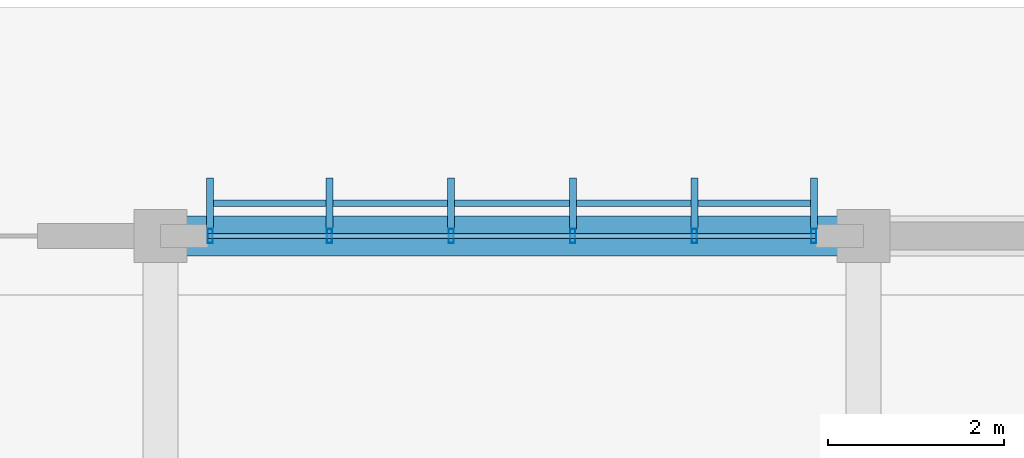
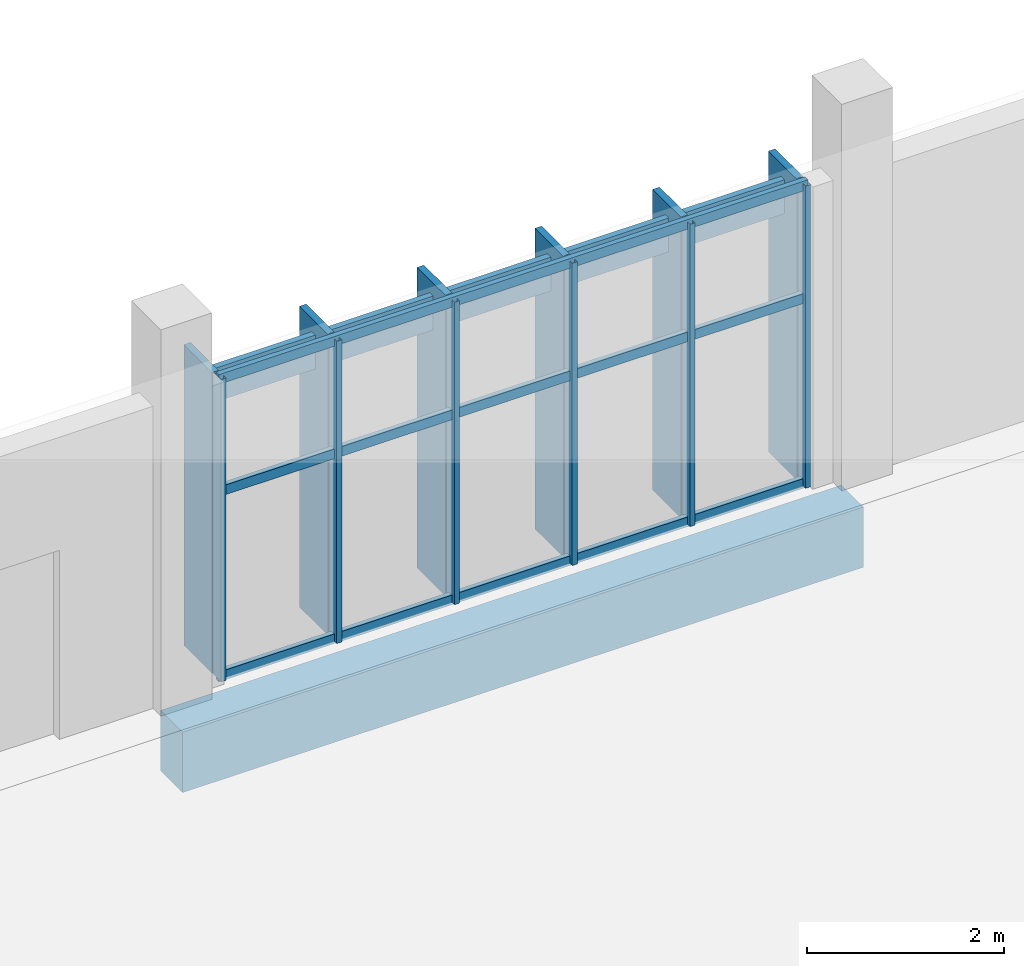
# One storey, part 92 of 151: 16 members, 1 beam, 1 element without a shape of its own.
"""IFC4 building model written with IfcOpenShell, lengths in metres."""

from ifc_helpers import new_model, si_unit, direction, frame, origin, origin_2d, place, context, subcontext, project, spatial, rectangle, hollow_rectangle, extrude, material, material_profile, profile_set, type_object, element, aggregate, save


model = new_model("IFC4")

# Units and contexts
model_context = context("Model", 3, precision=1e-05, world=origin(), true_north=direction((0.0, 1.0)))
body_context = subcontext(model_context, "Body", "Model", "MODEL_VIEW")
ifc_project = project(units=[si_unit("LENGTHUNIT", "METRE"), si_unit("AREAUNIT", "SQUARE_METRE"), si_unit("VOLUMEUNIT", "CUBIC_METRE"), si_unit("PLANEANGLEUNIT", "RADIAN"), si_unit("MASSUNIT", "GRAM", prefix="KILO")], contexts=[model_context])

# Site, building, storey
site_placement = place(None, origin())
site = spatial("IfcSite", under=ifc_project, at=site_placement, CompositionType="ELEMENT")
building_placement = place(site_placement, origin())
building = spatial("IfcBuilding", under=site, at=building_placement, Name="Chiffa Square Polytechnic", CompositionType="ELEMENT")
storey_placement = place(building_placement, origin())
storey = spatial("IfcBuildingStorey", under=building, at=storey_placement, Name="L00", CompositionType="ELEMENT", Elevation=0.0)

# Beam
ifc_material_1 = material(Name="Concrete C35/45", Category="concrete")
ifc_material_profile_1 = material_profile(ifc_material_1, rectangle(XDim=0.449951171875, YDim=0.75, at=origin_2d()), Name="RC 450x750")
ifc_profile_set_1 = profile_set([ifc_material_profile_1], Name="Concrete C35/45")
beam_type = type_object("IfcBeamType", Name="BM-RC-450X750", PredefinedType="BEAM", material=ifc_profile_set_1)
beam_placement = place(storey_placement, frame((8.0, 130.800048828125, -0.72509765625), z_axis=(1.0, 0.0, 0.0), x_axis=(0.0, 1.0, 0.0)))
element("IfcBeam", 1, at=beam_placement, inside=storey, type_object=beam_type, Name="Primary floor girder BM-V5-L00-X-0080-1308", PredefinedType="BEAM", context=body_context, shape_type="SweptSolid", body=[
    extrude(rectangle(XDim=0.449951171875, YDim=0.75, at=origin_2d()), origin(), (0.0, 0.0, 1.0), 8.0),
])

# Curtain wall, members
ifc_material_2 = material(Name="Aluminium EN AW-6060 T66 and glulam shading", Category="wood")
curtain_wall_type = type_object("IfcCurtainWallType", Name="CW-VERT-360X380", PredefinedType="USERDEFINED", material=ifc_material_2)
curtain_wall_placement = place(storey_placement, origin())
curtain_wall = element("IfcCurtainWall", 2, at=curtain_wall_placement, inside=storey, type_object=curtain_wall_type, Name="Curtain wall CW-V5-L00-197", ObjectType="CURTAIN WALL", PredefinedType="USERDEFINED")
ifc_material_3 = material(Name="Aluminium EN AW-6060 T66", Category="aluminium")
ifc_material_profile_2 = material_profile(ifc_material_3, hollow_rectangle(XDim=0.06005859375, YDim=0.159912109375, WallThickness=0.00390625, at=origin_2d()), Name="ALU 60x160x4")
ifc_profile_set_2 = profile_set([ifc_material_profile_2], Name="Aluminium EN AW-6060 T66")
member_type_1 = type_object("IfcMemberType", Name="CWM-ALU-65X150", PredefinedType="MULLION", material=ifc_profile_set_2)
member_1_placement = place(storey_placement, frame((15.43505859375, 130.800048828125, 0.0), z_axis=(0.0, 0.0, 1.0), x_axis=(1.0, 0.0, 0.0)))
member_1 = element("IfcMember", 3, at=member_1_placement, type_object=member_type_1, Name="Curtain wall mullion CW-V5-L00-197-M00", PredefinedType="MULLION", context=body_context, shape_type="SweptSolid", body=[
    extrude(hollow_rectangle(XDim=0.06005859375, YDim=0.159912109375, WallThickness=0.00390625, at=origin_2d()), origin(), (0.0, 0.0, 1.0), 3.7548828125),
])
member_2_placement = place(storey_placement, frame((14.075927734375, 130.800048828125, 0.0), z_axis=(0.0, 0.0, 1.0), x_axis=(1.0, 0.0, 0.0)))
member_2 = element("IfcMember", 4, at=member_2_placement, type_object=member_type_1, Name="Curtain wall mullion CW-V5-L00-197-M01", PredefinedType="MULLION", context=body_context, shape_type="SweptSolid", body=[
    extrude(hollow_rectangle(XDim=0.06005859375, YDim=0.159912109375, WallThickness=0.00390625, at=origin_2d()), origin(), (0.0, 0.0, 1.0), 3.7548828125),
])
member_3_placement = place(storey_placement, frame((12.69189453125, 130.800048828125, 0.0), z_axis=(0.0, 0.0, 1.0), x_axis=(1.0, 0.0, 0.0)))
member_3 = element("IfcMember", 5, at=member_3_placement, type_object=member_type_1, Name="Curtain wall mullion CW-V5-L00-197-M02", PredefinedType="MULLION", context=body_context, shape_type="SweptSolid", body=[
    extrude(hollow_rectangle(XDim=0.06005859375, YDim=0.159912109375, WallThickness=0.00390625, at=origin_2d()), origin(), (0.0, 0.0, 1.0), 3.7548828125),
])
member_4_placement = place(storey_placement, frame((11.30810546875, 130.800048828125, 0.0), z_axis=(0.0, 0.0, 1.0), x_axis=(1.0, 0.0, 0.0)))
member_4 = element("IfcMember", 6, at=member_4_placement, type_object=member_type_1, Name="Curtain wall mullion CW-V5-L00-197-M03", PredefinedType="MULLION", context=body_context, shape_type="SweptSolid", body=[
    extrude(hollow_rectangle(XDim=0.06005859375, YDim=0.159912109375, WallThickness=0.00390625, at=origin_2d()), origin(), (0.0, 0.0, 1.0), 3.7548828125),
])
member_5_placement = place(storey_placement, frame((9.924072265625, 130.800048828125, 0.0), z_axis=(0.0, 0.0, 1.0), x_axis=(1.0, 0.0, 0.0)))
member_5 = element("IfcMember", 7, at=member_5_placement, type_object=member_type_1, Name="Curtain wall mullion CW-V5-L00-197-M04", PredefinedType="MULLION", context=body_context, shape_type="SweptSolid", body=[
    extrude(hollow_rectangle(XDim=0.06005859375, YDim=0.159912109375, WallThickness=0.00390625, at=origin_2d()), origin(), (0.0, 0.0, 1.0), 3.7548828125),
])
member_6_placement = place(storey_placement, frame((8.56494140625, 130.800048828125, 0.0), z_axis=(0.0, 0.0, 1.0), x_axis=(1.0, 0.0, 0.0)))
member_6 = element("IfcMember", 8, at=member_6_placement, type_object=member_type_1, Name="Curtain wall mullion CW-V5-L00-197-M05", PredefinedType="MULLION", context=body_context, shape_type="SweptSolid", body=[
    extrude(hollow_rectangle(XDim=0.06005859375, YDim=0.159912109375, WallThickness=0.00390625, at=origin_2d()), origin(), (0.0, 0.0, 1.0), 3.7548828125),
])
ifc_material_4 = material(Name="Glulam GL28h", Category="wood")
ifc_material_profile_3 = material_profile(ifc_material_4, rectangle(XDim=0.080078125, YDim=0.580078125, at=origin_2d()), Name="GL28h 80x580")
ifc_profile_set_3 = profile_set([ifc_material_profile_3], Name="Glulam GL28h")
member_type_2 = type_object("IfcMemberType", Name="CWM-GL-80X580", PredefinedType="MULLION", material=ifc_profile_set_3)
member_7_placement = place(storey_placement, frame((15.43505859375, 131.172119140625, 0.010009765625), z_axis=(0.0, 0.0, 1.0), x_axis=(-1.0, 0.0, 0.0)))
member_7 = element("IfcMember", 9, at=member_7_placement, type_object=member_type_2, Name="Exterior glulam solar fin CW-V5-L00-197-FN00", PredefinedType="MULLION", context=body_context, shape_type="SweptSolid", body=[
    extrude(rectangle(XDim=0.080078125, YDim=0.580078125, at=origin_2d()), origin(), (0.0, 0.0, 1.0), 3.735107421875),
])
member_8_placement = place(storey_placement, frame((14.075927734375, 131.172119140625, 0.010009765625), z_axis=(0.0, 0.0, 1.0), x_axis=(-1.0, 0.0, 0.0)))
member_8 = element("IfcMember", 10, at=member_8_placement, type_object=member_type_2, Name="Exterior glulam solar fin CW-V5-L00-197-FN01", PredefinedType="MULLION", context=body_context, shape_type="SweptSolid", body=[
    extrude(rectangle(XDim=0.080078125, YDim=0.580078125, at=origin_2d()), origin(), (0.0, 0.0, 1.0), 3.735107421875),
])
member_9_placement = place(storey_placement, frame((12.69189453125, 131.172119140625, 0.010009765625), z_axis=(0.0, 0.0, 1.0), x_axis=(-1.0, 0.0, 0.0)))
member_9 = element("IfcMember", 11, at=member_9_placement, type_object=member_type_2, Name="Exterior glulam solar fin CW-V5-L00-197-FN02", PredefinedType="MULLION", context=body_context, shape_type="SweptSolid", body=[
    extrude(rectangle(XDim=0.080078125, YDim=0.580078125, at=origin_2d()), origin(), (0.0, 0.0, 1.0), 3.735107421875),
])
member_10_placement = place(storey_placement, frame((11.30810546875, 131.172119140625, 0.010009765625), z_axis=(0.0, 0.0, 1.0), x_axis=(-1.0, 0.0, 0.0)))
member_10 = element("IfcMember", 12, at=member_10_placement, type_object=member_type_2, Name="Exterior glulam solar fin CW-V5-L00-197-FN03", PredefinedType="MULLION", context=body_context, shape_type="SweptSolid", body=[
    extrude(rectangle(XDim=0.080078125, YDim=0.580078125, at=origin_2d()), origin(), (0.0, 0.0, 1.0), 3.735107421875),
])
member_11_placement = place(storey_placement, frame((9.924072265625, 131.172119140625, 0.010009765625), z_axis=(0.0, 0.0, 1.0), x_axis=(-1.0, 0.0, 0.0)))
member_11 = element("IfcMember", 13, at=member_11_placement, type_object=member_type_2, Name="Exterior glulam solar fin CW-V5-L00-197-FN04", PredefinedType="MULLION", context=body_context, shape_type="SweptSolid", body=[
    extrude(rectangle(XDim=0.080078125, YDim=0.580078125, at=origin_2d()), origin(), (0.0, 0.0, 1.0), 3.735107421875),
])
member_12_placement = place(storey_placement, frame((8.56494140625, 131.172119140625, 0.010009765625), z_axis=(0.0, 0.0, 1.0), x_axis=(-1.0, 0.0, 0.0)))
member_12 = element("IfcMember", 14, at=member_12_placement, type_object=member_type_2, Name="Exterior glulam solar fin CW-V5-L00-197-FN05", PredefinedType="MULLION", context=body_context, shape_type="SweptSolid", body=[
    extrude(rectangle(XDim=0.080078125, YDim=0.580078125, at=origin_2d()), origin(), (0.0, 0.0, 1.0), 3.735107421875),
])
ifc_material_profile_4 = material_profile(ifc_material_3, hollow_rectangle(XDim=0.06005859375, YDim=0.1201171875, WallThickness=0.00390625, at=origin_2d()), Name="ALU 60x120x4")
ifc_profile_set_4 = profile_set([ifc_material_profile_4], Name="Aluminium EN AW-6060 T66")
member_type_3 = type_object("IfcMemberType", Name="CWT-ALU-65X120", PredefinedType="USERDEFINED", material=ifc_profile_set_4)
member_13_placement = place(storey_placement, frame((15.4619140625, 130.800048828125, 0.030029296875), z_axis=(-1.0, 0.0, 0.0), x_axis=(0.0, -1.0, 0.0)))
member_13 = element("IfcMember", 15, at=member_13_placement, type_object=member_type_3, Name="Curtain wall transom CW-V5-L00-197-T01", ObjectType="TRANSOM", PredefinedType="USERDEFINED", context=body_context, shape_type="SweptSolid", body=[
    extrude(hollow_rectangle(XDim=0.06005859375, YDim=0.1201171875, WallThickness=0.00390625, at=origin_2d()), origin(), (0.0, 0.0, 1.0), 6.923828125),
])
member_14_placement = place(storey_placement, frame((15.4619140625, 130.800048828125, 2.327880859375), z_axis=(-1.0, 0.0, 0.0), x_axis=(0.0, -1.0, 0.0)))
member_14 = element("IfcMember", 16, at=member_14_placement, type_object=member_type_3, Name="Curtain wall transom CW-V5-L00-197-T02", ObjectType="TRANSOM", PredefinedType="USERDEFINED", context=body_context, shape_type="SweptSolid", body=[
    extrude(hollow_rectangle(XDim=0.06005859375, YDim=0.1201171875, WallThickness=0.00390625, at=origin_2d()), origin(), (0.0, 0.0, 1.0), 6.923828125),
])
member_15_placement = place(storey_placement, frame((15.4619140625, 130.800048828125, 3.72509765625), z_axis=(-1.0, 0.0, 0.0), x_axis=(0.0, -1.0, 0.0)))
member_15 = element("IfcMember", 17, at=member_15_placement, type_object=member_type_3, Name="Curtain wall transom CW-V5-L00-197-T03", ObjectType="TRANSOM", PredefinedType="USERDEFINED", context=body_context, shape_type="SweptSolid", body=[
    extrude(hollow_rectangle(XDim=0.06005859375, YDim=0.1201171875, WallThickness=0.00390625, at=origin_2d()), origin(), (0.0, 0.0, 1.0), 6.923828125),
])
ifc_material_profile_5 = material_profile(ifc_material_4, rectangle(XDim=0.070068359375, YDim=0.419921875, at=origin_2d()), Name="GL28h 70x420")
ifc_profile_set_5 = profile_set([ifc_material_profile_5], Name="Glulam GL28h")
member_type_4 = type_object("IfcMemberType", Name="CWT-GL-70X420", PredefinedType="USERDEFINED", material=ifc_profile_set_5)
member_16_placement = place(storey_placement, frame((15.43505859375, 131.172119140625, 3.375), z_axis=(-1.0, 0.0, 0.0), x_axis=(0.0, -1.0, 0.0)))
member_16 = element("IfcMember", 18, at=member_16_placement, type_object=member_type_4, Name="Exterior glulam brise-soleil CW-V5-L00-197-BS01", ObjectType="TRANSOM", PredefinedType="USERDEFINED", context=body_context, shape_type="SweptSolid", body=[
    extrude(rectangle(XDim=0.070068359375, YDim=0.419921875, at=origin_2d()), origin(), (0.0, 0.0, 1.0), 6.8701171875),
])
aggregate(curtain_wall, [member_1, member_7, member_2, member_8, member_3, member_9, member_4, member_10, member_5, member_11, member_6, member_12, member_13, member_14, member_15, member_16])

save(model, "model.ifc")
